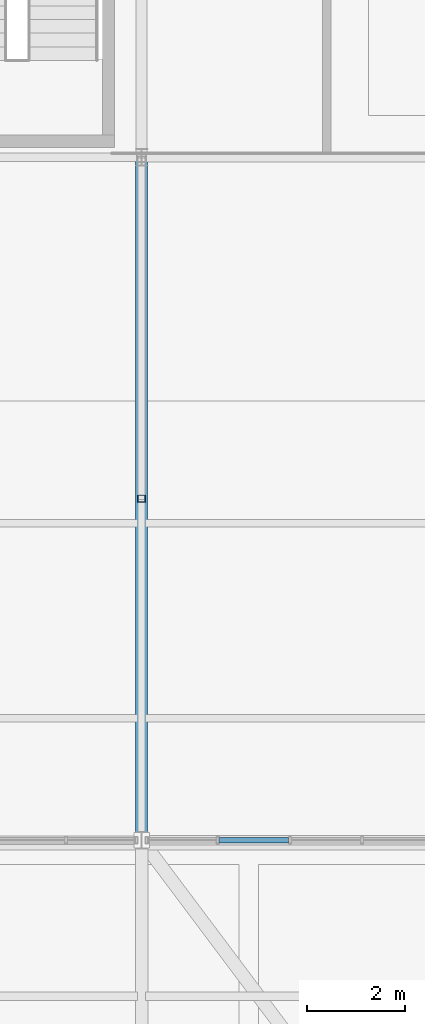
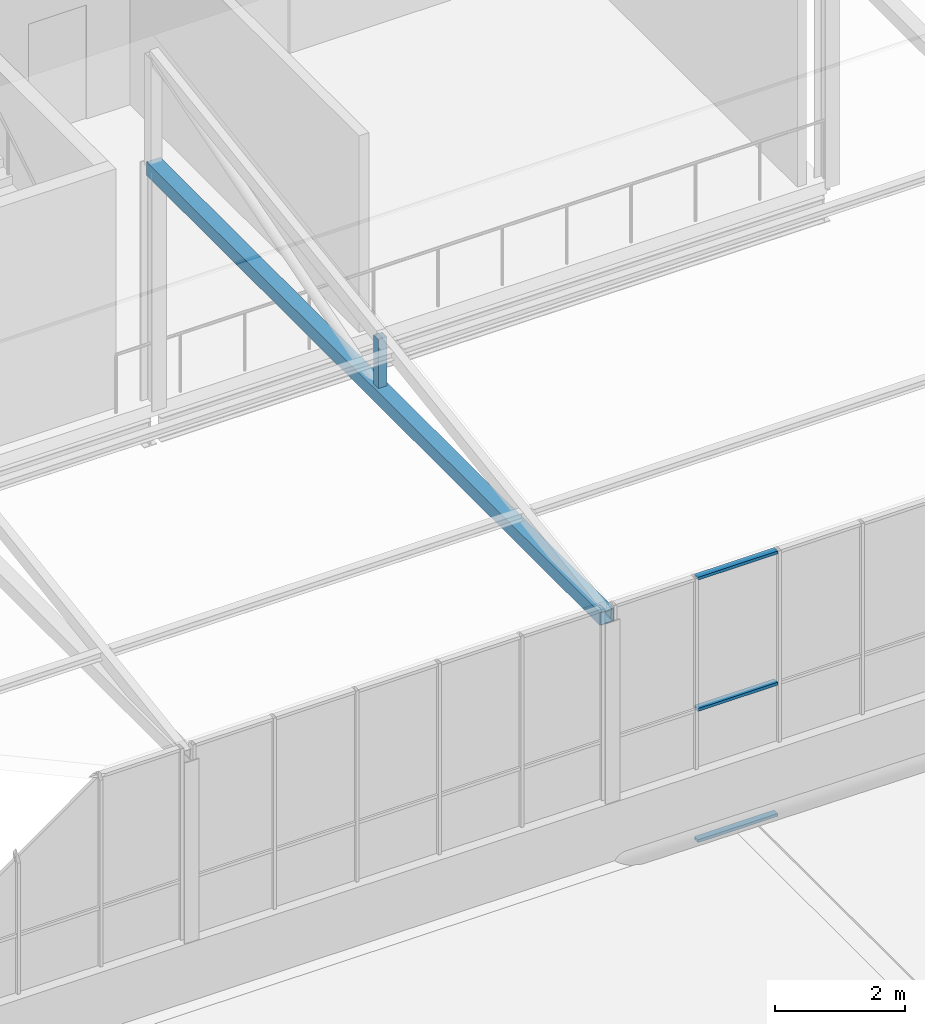
# One storey, part 51 of 104: 5 members, 1 element without a shape of its own.
"""IFC4 building model written with IfcOpenShell, lengths in metres."""

from ifc_helpers import new_model, si_unit, direction, frame, origin, origin_2d, place, context, subcontext, project, spatial, hollow_rectangle, extrude, material, layer, layer_set, material_profile, profile_set, type_object, element, aggregate, save


model = new_model("IFC4")

# Units and contexts
model_context = context("Model", 3, precision=1e-05, world=origin(), true_north=direction((0.0, 1.0)))
body_context = subcontext(model_context, "Body", "Model", "MODEL_VIEW")
ifc_project = project(units=[si_unit("LENGTHUNIT", "METRE"), si_unit("AREAUNIT", "SQUARE_METRE"), si_unit("VOLUMEUNIT", "CUBIC_METRE"), si_unit("PLANEANGLEUNIT", "RADIAN"), si_unit("MASSUNIT", "GRAM", prefix="KILO")], contexts=[model_context])

# Site, building, storey
site_placement = place(None, origin())
site = spatial("IfcSite", under=ifc_project, at=site_placement, CompositionType="ELEMENT")
building_placement = place(site_placement, origin())
building = spatial("IfcBuilding", under=site, at=building_placement, Name="Solvenia Promenade Tram Depot", CompositionType="ELEMENT")
storey_placement = place(building_placement, frame((0.0, 0.0, 9.0)))
storey = spatial("IfcBuildingStorey", under=building, at=storey_placement, Name="L02", CompositionType="ELEMENT", Elevation=9.0)

# Curtain wall, members
ifc_material_1 = material(Name="Anodized aluminium AW-6063 T6", Category="aluminium")
ifc_layer = layer(ifc_material_1, 0.080078125, Name="Anodized aluminium AW-6063 T6", Category="aluminium")
ifc_layer_set = layer_set([ifc_layer], Name="Anodized aluminium AW-6063 T6")
curtain_wall_type = type_object("IfcCurtainWallType", Name="CW-Clerest-1500", PredefinedType="NOTDEFINED", material=ifc_layer_set)
curtain_wall_placement = place(storey_placement, origin())
curtain_wall = element("IfcCurtainWall", 1, at=curtain_wall_placement, inside=storey, type_object=curtain_wall_type, Name="Curtain Wall CW-V2S-L2-07", PredefinedType="NOTDEFINED")
ifc_material_profile_1 = material_profile(ifc_material_1, hollow_rectangle(XDim=0.110107421875, YDim=0.054931640625, WallThickness=0.00390625, at=origin_2d()), Name="ALU-T4", Category="aluminium")
ifc_profile_set_1 = profile_set([ifc_material_profile_1], Name="Anodized aluminium AW-6063 T6")
member_type_1 = type_object("IfcMemberType", Name="CWT-Transom-4", PredefinedType="USERDEFINED", material=ifc_profile_set_1)
member_1_placement = place(storey_placement, frame((151.58740234375, 24.0, -0.2724609375), z_axis=(1.0, 0.0, 0.0), x_axis=(0.0, 1.0, 0.0)))
member_1 = element("IfcMember", 2, at=member_1_placement, type_object=member_type_1, Name="CW-4 transom 2.1", ObjectType="TRANSOM", PredefinedType="USERDEFINED", context=body_context, shape_type="SweptSolid", body=[
    extrude(hollow_rectangle(XDim=0.110107421875, YDim=0.054931640625, WallThickness=0.00390625, at=origin_2d()), origin(), (0.0, 0.0, 1.0), 1.425048828125),
])
member_2_placement = place(storey_placement, frame((151.58740234375, 24.0, 2.199951171875), z_axis=(1.0, 0.0, 0.0), x_axis=(0.0, 1.0, 0.0)))
member_2 = element("IfcMember", 3, at=member_2_placement, type_object=member_type_1, Name="CW-4 transom 2.2", ObjectType="TRANSOM", PredefinedType="USERDEFINED", context=body_context, shape_type="SweptSolid", body=[
    extrude(hollow_rectangle(XDim=0.110107421875, YDim=0.054931640625, WallThickness=0.00390625, at=origin_2d()), origin(), (0.0, 0.0, 1.0), 1.425048828125),
])
member_3_placement = place(storey_placement, frame((151.58740234375, 24.0, 4.672607421875), z_axis=(1.0, 0.0, 0.0), x_axis=(0.0, 1.0, 0.0)))
member_3 = element("IfcMember", 4, at=member_3_placement, type_object=member_type_1, Name="CW-4 transom 2.3", ObjectType="TRANSOM", PredefinedType="USERDEFINED", context=body_context, shape_type="SweptSolid", body=[
    extrude(hollow_rectangle(XDim=0.110107421875, YDim=0.054931640625, WallThickness=0.00390625, at=origin_2d()), origin(), (0.0, 0.0, 1.0), 1.425048828125),
])
aggregate(curtain_wall, [member_1, member_2, member_3])

# Members
ifc_material_2 = material(Name="Structural steel ASTM A500 Gr. C", Category="steel")
ifc_material_profile_2 = material_profile(ifc_material_2, hollow_rectangle(XDim=0.25, YDim=0.25, WallThickness=0.010009765625, at=origin_2d()), Name="HSS250x250x10", Category="steel")
ifc_profile_set_2 = profile_set([ifc_material_profile_2], Name="Structural steel ASTM A500 Gr. C")
member_type_2 = type_object("IfcMemberType", Name="Chord-HSS250x250x10", PredefinedType="CHORD", material=ifc_profile_set_2)
member_4_placement = place(storey_placement, frame((150.0, 24.0, 4.47998046875), z_axis=(0.0, 1.0, 0.0), x_axis=(-1.0, 0.0, 0.0)))
element("IfcMember", 5, at=member_4_placement, inside=storey, type_object=member_type_2, Name="Crane Hall Truss Bottom Tie 07", PredefinedType="CHORD", context=body_context, shape_type="SweptSolid", body=[
    extrude(hollow_rectangle(XDim=0.25, YDim=0.25, WallThickness=0.010009765625, at=origin_2d()), origin(), (0.0, 0.0, 1.0), 14.0),
])
ifc_material_profile_3 = material_profile(ifc_material_2, hollow_rectangle(XDim=0.14990234375, YDim=0.14990234375, WallThickness=0.008056640625, at=origin_2d()), Name="HSS150x150x8", Category="steel")
ifc_profile_set_3 = profile_set([ifc_material_profile_3], Name="Structural steel ASTM A500 Gr. C")
member_type_3 = type_object("IfcMemberType", Name="Post-HSS150x150x8", PredefinedType="POST", material=ifc_profile_set_3)
member_5_placement = place(storey_placement, frame((150.0, 31.0, 4.47998046875), z_axis=(0.0, 0.0, 1.0), x_axis=(1.0, 0.0, 0.0)))
element("IfcMember", 6, at=member_5_placement, inside=storey, type_object=member_type_3, Name="Crane Hall Mid Web Post 07", PredefinedType="POST", context=body_context, shape_type="SweptSolid", body=[
    extrude(hollow_rectangle(XDim=0.14990234375, YDim=0.14990234375, WallThickness=0.008056640625, at=origin_2d()), origin(), (0.0, 0.0, 1.0), 1.050048828125),
])

save(model, "model.ifc")
